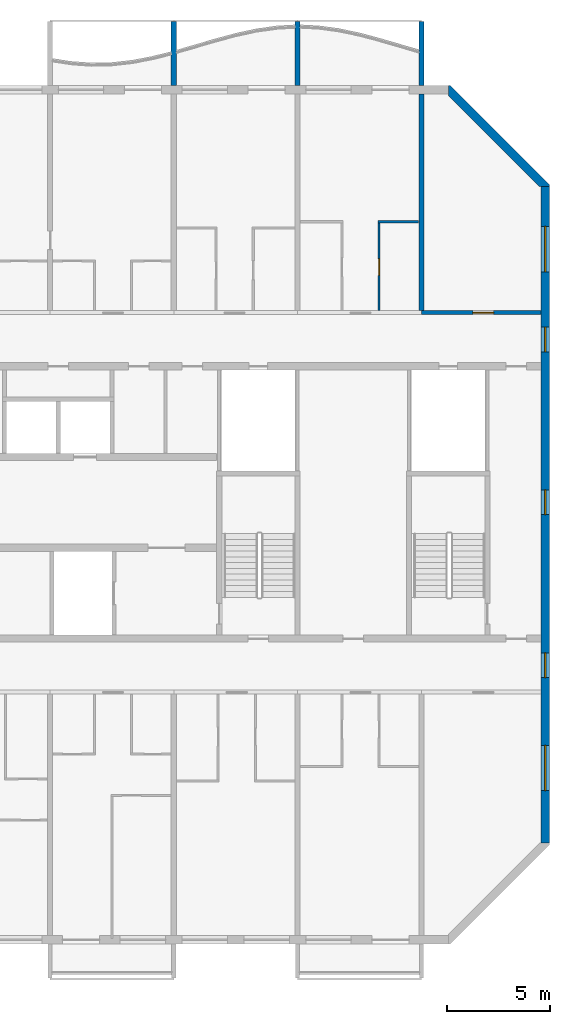
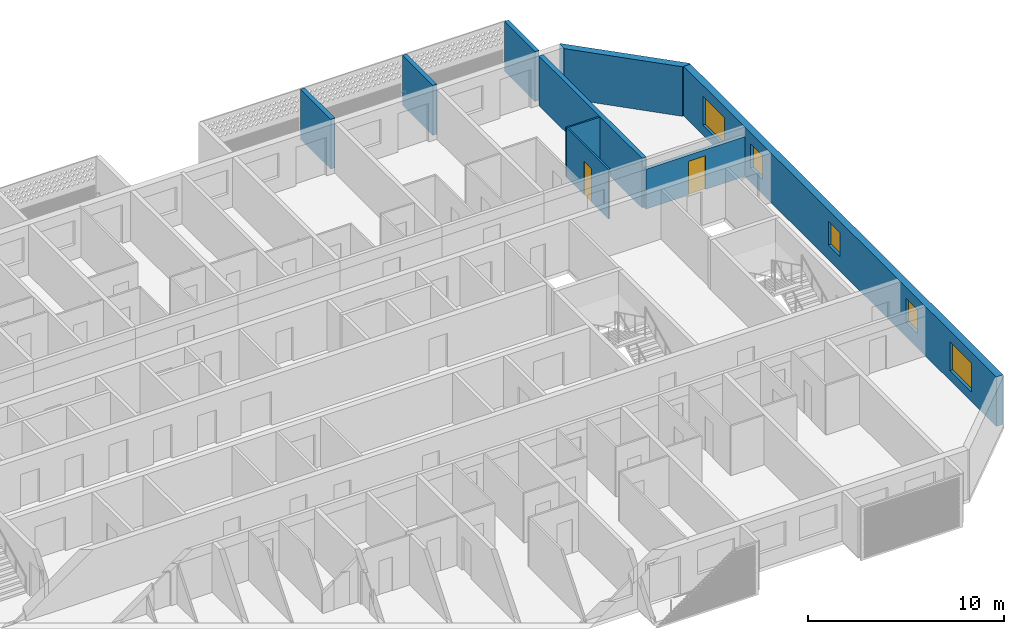
# One storey, part 11 of 26: 9 walls, 5 windows, 2 doors, 7 openings.
"""IFC4 building model written with IfcOpenShell, lengths in metres."""

from ifc_helpers import new_model, si_unit, direction, frame, frame_2d, origin, place, context, subcontext, project, spatial, polyline, rectangle, outline, extrude, source, transform, mapped, material, layer, layer_set, type_object, element, fill, save


model = new_model("IFC4")

# Units and contexts
model_context = context("Model", 3, precision=1e-05, world=origin(), true_north=direction((0.0, 1.0)))
body_context = subcontext(model_context, "Body", "Model", "MODEL_VIEW")
ifc_project = project(units=[si_unit("LENGTHUNIT", "METRE"), si_unit("AREAUNIT", "SQUARE_METRE"), si_unit("VOLUMEUNIT", "CUBIC_METRE"), si_unit("PLANEANGLEUNIT", "RADIAN"), si_unit("MASSUNIT", "GRAM", prefix="KILO")], contexts=[model_context])

# Site, building, storey
site_placement = place(None, origin())
site = spatial("IfcSite", under=ifc_project, at=site_placement, CompositionType="ELEMENT")
building_placement = place(site_placement, origin())
building = spatial("IfcBuilding", under=site, at=building_placement, Name="Poui Terraces", CompositionType="ELEMENT")
storey_placement = place(building_placement, frame((0.0, 0.0, 247.800048828125)))
storey = spatial("IfcBuildingStorey", under=building, at=storey_placement, Name="L69", CompositionType="ELEMENT", Elevation=247.800048828125)

# Wall, opening, door
ifc_material_1 = material(Name="Concrete 50 MPa", Category="concrete")
ifc_layer_1 = layer(ifc_material_1, 0.199951171875)
ifc_layer_set_1 = layer_set([ifc_layer_1], Name="Concrete 50 MPa")
wall_type_1 = type_object("IfcWallType", Name="CORRIDOR WALL 200 50MPa", PredefinedType="SHEAR", material=ifc_layer_set_1)
wall_1_placement = place(storey_placement, frame((78.0, 30.39990234375, 0.0), z_axis=(0.0, 0.0, 1.0), x_axis=(1.0, 0.0, 0.0)))
wall_1 = element("IfcWall", 1, at=wall_1_placement, inside=storey, type_object=wall_type_1, Name="CORRIDOR WALL LINE E BAY 11", PredefinedType="SHEAR", context=body_context, shape_type="SweptSolid", body=[
    extrude(rectangle(XDim=5.800048828125, YDim=0.199951171875, at=frame_2d((2.89990234375, 0.0))), origin(), (0.0, 0.0, 1.0), 2.47998046875),
])
opening_1_placement = place(wall_1_placement, frame((2.5, 0.0, 0.0)))
opening_1 = element("IfcOpeningElement", 2, at=opening_1_placement, cuts=wall_1, Name="Opening D100", PredefinedType="OPENING", context=body_context, shape_type="SweptSolid", body=[
    extrude(rectangle(XDim=1.0, YDim=2.10009765625, at=frame_2d((0.5, 1.050048828125))), frame((0.0, 0.10986328125, 0.0), z_axis=(0.0, -1.0, 0.0), x_axis=(1.0, 0.0, 0.0)), (0.0, 0.0, 1.0), 0.219970703125),
])
ifc_material_2 = material(Name="Solid core timber door", Category="wood")
door_type_1 = type_object("IfcDoorType", Name="ACCESSIBLE INTERNAL DOOR 1000 X 2100", OperationType="NOTDEFINED", PredefinedType="DOOR", material=ifc_material_2)
door_1_placement = place(opening_1_placement, origin())
door_1 = element("IfcDoor", 3, at=door_1_placement, inside=storey, type_object=door_type_1, Name="ACCESSIBLE INTERNAL DOOR 060", OperationType="SINGLE_SWING_LEFT", OverallHeight=2.10009765625, OverallWidth=1.0, PredefinedType="DOOR", context=body_context, shape_type="SweptSolid", body=[
    extrude(rectangle(XDim=1.0, YDim=2.10009765625, at=frame_2d((0.5, 1.050048828125))), frame((0.0, 0.02490234375, 0.0), z_axis=(0.0, -1.0, 0.0), x_axis=(1.0, 0.0, 0.0)), (0.0, 0.0, 1.0), 0.050048828125),
])
fill(opening_1, door_1)

# Wall
ifc_layer_2 = layer(ifc_material_1, 0.25)
ifc_layer_set_2 = layer_set([ifc_layer_2], Name="Concrete 50 MPa")
wall_type_2 = type_object("IfcWallType", Name="CROSS WALL 250 50MPa", PredefinedType="SHEAR", material=ifc_layer_set_2)
wall_2_placement = place(storey_placement, frame((78.0, 30.5, 0.0), z_axis=(0.0, 0.0, 1.0), x_axis=(0.0, 1.0, 0.0)))
element("IfcWall", 4, at=wall_2_placement, inside=storey, type_object=wall_type_2, Name="CROSS WALL LINE 14 NORTH", PredefinedType="SHEAR", context=body_context, shape_type="SweptSolid", body=[
    extrude(rectangle(XDim=10.5, YDim=0.25, at=frame_2d((5.25, 0.0))), origin(), (0.0, 0.0, 1.0), 3.079833984375),
])

# Wall, openings, windows
ifc_layer_3 = layer(ifc_material_1, 0.39990234375)
ifc_layer_set_3 = layer_set([ifc_layer_3], Name="Concrete 50 MPa")
wall_type_3 = type_object("IfcWallType", Name="END WALL 400 50MPa", PredefinedType="SHEAR", material=ifc_layer_set_3)
wall_3_placement = place(storey_placement, frame((84.0, 4.682861328125, 0.0), z_axis=(0.0, 0.0, 1.0), x_axis=(0.0, 1.0, 0.0)))
wall_3 = element("IfcWall", 5, at=wall_3_placement, inside=storey, type_object=wall_type_3, Name="END WALL EAST", PredefinedType="SHEAR", context=body_context, shape_type="SweptSolid", body=[
    extrude(rectangle(XDim=31.834228515625, YDim=0.39990234375, at=frame_2d((15.9169921875, 0.0))), origin(), (0.0, 0.0, 1.0), 3.079833984375),
])
opening_2_placement = place(wall_3_placement, frame((23.817138671875, 0.0, 0.89990234375)))
opening_2 = element("IfcOpeningElement", 6, at=opening_2_placement, cuts=wall_3, Name="Opening W2", PredefinedType="OPENING", context=body_context, shape_type="SweptSolid", body=[
    extrude(rectangle(XDim=1.199951171875, YDim=1.5, at=frame_2d((0.60009765625, 0.75))), frame((0.0, 0.2099609375, 0.0), z_axis=(0.0, -1.0, 0.0), x_axis=(1.0, 0.0, 0.0)), (0.0, 0.0, 1.0), 0.419921875),
])
opening_3_placement = place(wall_3_placement, frame((8.01708984375, 0.0, 0.89990234375)))
opening_3 = element("IfcOpeningElement", 7, at=opening_3_placement, cuts=wall_3, Name="Opening W2", PredefinedType="OPENING", context=body_context, shape_type="SweptSolid", body=[
    extrude(rectangle(XDim=1.199951171875, YDim=1.5, at=frame_2d((0.60009765625, 0.75))), frame((0.0, 0.2099609375, 0.0), z_axis=(0.0, -1.0, 0.0), x_axis=(1.0, 0.0, 0.0)), (0.0, 0.0, 1.0), 0.419921875),
])
opening_4_placement = place(wall_3_placement, frame((27.693603515625, 0.0, 0.60009765625)))
opening_4 = element("IfcOpeningElement", 8, at=opening_4_placement, cuts=wall_3, Name="Opening W3", PredefinedType="OPENING", context=body_context, shape_type="SweptSolid", body=[
    extrude(rectangle(XDim=2.199951171875, YDim=1.800048828125, at=frame_2d((1.10009765625, 0.89990234375))), frame((0.0, 0.2099609375, 0.0), z_axis=(0.0, -1.0, 0.0), x_axis=(1.0, 0.0, 0.0)), (0.0, 0.0, 1.0), 0.419921875),
])
opening_5_placement = place(wall_3_placement, frame((2.541015625, 0.0, 0.60009765625)))
opening_5 = element("IfcOpeningElement", 9, at=opening_5_placement, cuts=wall_3, Name="Opening W3", PredefinedType="OPENING", context=body_context, shape_type="SweptSolid", body=[
    extrude(rectangle(XDim=2.199951171875, YDim=1.800048828125, at=frame_2d((1.10009765625, 0.89990234375))), frame((0.0, 0.2099609375, 0.0), z_axis=(0.0, -1.0, 0.0), x_axis=(1.0, 0.0, 0.0)), (0.0, 0.0, 1.0), 0.419921875),
])
opening_6_placement = place(wall_3_placement, frame((15.917236328125, 0.0, 0.89990234375)))
opening_6 = element("IfcOpeningElement", 10, at=opening_6_placement, cuts=wall_3, Name="Opening W2", PredefinedType="OPENING", context=body_context, shape_type="SweptSolid", body=[
    extrude(rectangle(XDim=1.199951171875, YDim=1.5, at=frame_2d((0.60009765625, 0.75))), frame((0.0, 0.2099609375, 0.0), z_axis=(0.0, -1.0, 0.0), x_axis=(1.0, 0.0, 0.0)), (0.0, 0.0, 1.0), 0.419921875),
])
ifc_material_3 = material(Name="Clear glass in aluminium frame", Category="aluminium")
window_type_1 = type_object("IfcWindowType", Name="WINDOW 1200X1500", PartitioningType="SINGLE_PANEL", PredefinedType="WINDOW", material=ifc_material_3)
window_1_placement = place(opening_2_placement, origin())
window_1 = element("IfcWindow", 11, at=window_1_placement, inside=storey, type_object=window_type_1, Name="W2 WINDOW", OverallHeight=1.5, OverallWidth=1.199951171875, PartitioningType="SINGLE_PANEL", PredefinedType="WINDOW", context=body_context, shape_type="SweptSolid", body=[
    extrude(rectangle(XDim=1.199951171875, YDim=1.5, at=frame_2d((0.60009765625, 0.75))), frame((0.0, 0.030029296875, 0.0), z_axis=(0.0, -1.0, 0.0), x_axis=(1.0, 0.0, 0.0)), (0.0, 0.0, 1.0), 0.06005859375),
])
fill(opening_2, window_1)
window_2_placement = place(opening_3_placement, origin())
window_2 = element("IfcWindow", 12, at=window_2_placement, inside=storey, type_object=window_type_1, Name="W2 WINDOW", OverallHeight=1.5, OverallWidth=1.199951171875, PartitioningType="SINGLE_PANEL", PredefinedType="WINDOW", context=body_context, shape_type="SweptSolid", body=[
    extrude(rectangle(XDim=1.199951171875, YDim=1.5, at=frame_2d((0.60009765625, 0.75))), frame((0.0, 0.030029296875, 0.0), z_axis=(0.0, -1.0, 0.0), x_axis=(1.0, 0.0, 0.0)), (0.0, 0.0, 1.0), 0.06005859375),
])
fill(opening_3, window_2)
window_3_placement = place(opening_6_placement, origin())
window_3 = element("IfcWindow", 13, at=window_3_placement, inside=storey, type_object=window_type_1, Name="W2 WINDOW", OverallHeight=1.5, OverallWidth=1.199951171875, PartitioningType="SINGLE_PANEL", PredefinedType="WINDOW", context=body_context, shape_type="SweptSolid", body=[
    extrude(rectangle(XDim=1.199951171875, YDim=1.5, at=frame_2d((0.60009765625, 0.75))), frame((0.0, 0.030029296875, 0.0), z_axis=(0.0, -1.0, 0.0), x_axis=(1.0, 0.0, 0.0)), (0.0, 0.0, 1.0), 0.06005859375),
])
fill(opening_6, window_3)
window_type_2 = type_object("IfcWindowType", Name="WINDOW 2200X1800", PartitioningType="DOUBLE_PANEL_HORIZONTAL", PredefinedType="WINDOW", material=ifc_material_3)
window_4_placement = place(opening_4_placement, origin())
window_4 = element("IfcWindow", 14, at=window_4_placement, inside=storey, type_object=window_type_2, Name="W3 WINDOW", OverallHeight=1.800048828125, OverallWidth=2.199951171875, PartitioningType="DOUBLE_PANEL_HORIZONTAL", PredefinedType="WINDOW", context=body_context, shape_type="SweptSolid", body=[
    extrude(rectangle(XDim=2.199951171875, YDim=1.800048828125, at=frame_2d((1.10009765625, 0.89990234375))), frame((0.0, 0.030029296875, 0.0), z_axis=(0.0, -1.0, 0.0), x_axis=(1.0, 0.0, 0.0)), (0.0, 0.0, 1.0), 0.06005859375),
])
fill(opening_4, window_4)
window_5_placement = place(opening_5_placement, origin())
window_5 = element("IfcWindow", 15, at=window_5_placement, inside=storey, type_object=window_type_2, Name="W3 WINDOW", OverallHeight=1.800048828125, OverallWidth=2.199951171875, PartitioningType="DOUBLE_PANEL_HORIZONTAL", PredefinedType="WINDOW", context=body_context, shape_type="SweptSolid", body=[
    extrude(rectangle(XDim=2.199951171875, YDim=1.800048828125, at=frame_2d((1.10009765625, 0.89990234375))), frame((0.0, 0.030029296875, 0.0), z_axis=(0.0, -1.0, 0.0), x_axis=(1.0, 0.0, 0.0)), (0.0, 0.0, 1.0), 0.06005859375),
])
fill(opening_5, window_5)

# Wall
ifc_material_4 = material(Name="Plasterboard partition")
ifc_layer_4 = layer(ifc_material_4, 0.10009765625)
ifc_layer_set_4 = layer_set([ifc_layer_4], Name="Plasterboard partition")
wall_type_4 = type_object("IfcWallType", Name="FLAT PARTITION 100", PredefinedType="PARTITIONING", material=ifc_layer_set_4)
wall_4_placement = place(storey_placement, frame((75.89990234375, 34.800048828125, 0.0), z_axis=(0.0, 0.0, 1.0), x_axis=(1.0, 0.0, 0.0)))
element("IfcWall", 16, at=wall_4_placement, inside=storey, type_object=wall_type_4, Name="FLAT PARTITION 100", PredefinedType="PARTITIONING", context=body_context, shape_type="SweptSolid", body=[
    extrude(rectangle(XDim=1.965087890625, YDim=0.10009765625, at=frame_2d((0.982421875, 0.0))), origin(), (0.0, 0.0, 1.0), 3.079833984375),
])

# Wall, opening, door
wall_5_placement = place(storey_placement, frame((75.949951171875, 30.510009765625, 0.0), z_axis=(0.0, 0.0, 1.0), x_axis=(0.0, 1.0, 0.0)))
wall_5 = element("IfcWall", 17, at=wall_5_placement, inside=storey, type_object=wall_type_4, Name="FLAT PARTITION 100", PredefinedType="PARTITIONING", context=body_context, shape_type="SweptSolid", body=[
    extrude(rectangle(XDim=4.239990234375, YDim=0.10009765625, at=frame_2d((2.1201171875, 0.0))), origin(), (0.0, 0.0, 1.0), 3.079833984375),
])
opening_7_placement = place(wall_5_placement, frame((1.68994140625, 0.0, 0.0)))
opening_7 = element("IfcOpeningElement", 18, at=opening_7_placement, cuts=wall_5, Name="Opening D80", PredefinedType="OPENING", context=body_context, shape_type="SweptSolid", body=[
    extrude(rectangle(XDim=0.800048828125, YDim=2.10009765625, at=frame_2d((0.39990234375, 1.050048828125))), frame((0.0, 0.06005859375, 0.0), z_axis=(0.0, -1.0, 0.0), x_axis=(1.0, 0.0, 0.0)), (0.0, 0.0, 1.0), 0.1201171875),
])
door_type_2 = type_object("IfcDoorType", Name="BATHROOM, LAUNDRY AND STORE DOOR 800 X 2100", OperationType="NOTDEFINED", PredefinedType="DOOR", material=ifc_material_2)
door_2_placement = place(opening_7_placement, frame((0.800048828125, 0.0, 0.0), z_axis=(0.0, 0.0, 1.0), x_axis=(-1.0, 0.0, 0.0)))
door_2 = element("IfcDoor", 19, at=door_2_placement, inside=storey, type_object=door_type_2, Name="BATHROOM, LAUNDRY AND STORE DOOR 059", OperationType="SINGLE_SWING_RIGHT", OverallHeight=2.10009765625, OverallWidth=0.800048828125, PredefinedType="DOOR", context=body_context, shape_type="SweptSolid", body=[
    extrude(rectangle(XDim=0.800048828125, YDim=2.10009765625, at=frame_2d((0.39990234375, 1.050048828125))), frame((0.0, 0.02490234375, 0.0), z_axis=(0.0, -1.0, 0.0), x_axis=(1.0, 0.0, 0.0)), (0.0, 0.0, 1.0), 0.050048828125),
])
fill(opening_7, door_2)

# Walls
ifc_material_5 = material(Name="Precast concrete 40 MPa", Category="concrete")
ifc_layer_5 = layer(ifc_material_5, 0.39990234375)
ifc_layer_set_5 = layer_set([ifc_layer_5], Name="Precast concrete 40 MPa")
wall_type_5 = type_object("IfcWallType", Name="TERRACOTTA CLAD CHAMFER WALL 400", PredefinedType="STANDARD", material=ifc_layer_set_5)
wall_6_placement = place(storey_placement, origin())
element("IfcWall", 20, at=wall_6_placement, inside=storey, type_object=wall_type_5, Name="CHAMFER WALL CH03", PredefinedType="STANDARD", context=body_context, shape_type="SweptSolid", body=[
    extrude(outline(polyline([(84.199951171875, 36.51708984375), (84.199951171875, 36.60009765625), (79.39990234375, 41.39990234375), (79.317138671875, 41.39990234375), (79.317138671875, 40.917236328125), (83.71728515625, 36.51708984375), (84.199951171875, 36.51708984375)])), origin(), (0.0, 0.0, 1.0), 3.079833984375),
])
ifc_layer_6 = layer(ifc_material_5, 0.25)
ifc_layer_set_6 = layer_set([ifc_layer_6], Name="Precast concrete 40 MPa")
wall_type_6 = type_object("IfcWallType", Name="BALCONY FIN 250", PredefinedType="STANDARD", material=ifc_layer_set_6)
shared_shape = source(origin(), body_context, "Body", "SweptSolid", [
    extrude(outline(polyline([(0.0, 0.0), (0.25, 0.0), (0.25, 3.10009765625), (0.0, 3.10009765625), (0.0, 0.0)])), origin(), (0.0, 0.0, 1.0), 3.099853515625),
])
for number, where, name in (
    (21, (65.875, 41.39990234375, 0.0), "BALCONY FIN"),
    (22, (71.875, 41.39990234375, 0.0), "BALCONY FIN"),
    (23, (77.875, 41.39990234375, 0.0), "BALCONY FIN"),
):
    element("IfcWall", number, at=place(storey_placement, frame(where)), inside=storey, type_object=wall_type_6, Name=name, PredefinedType="STANDARD", context=body_context, shape_type="MappedRepresentation", body=[
        mapped(shared_shape, transform((0.0, 0.0, 0.0))),
    ])

save(model, "model.ifc")
